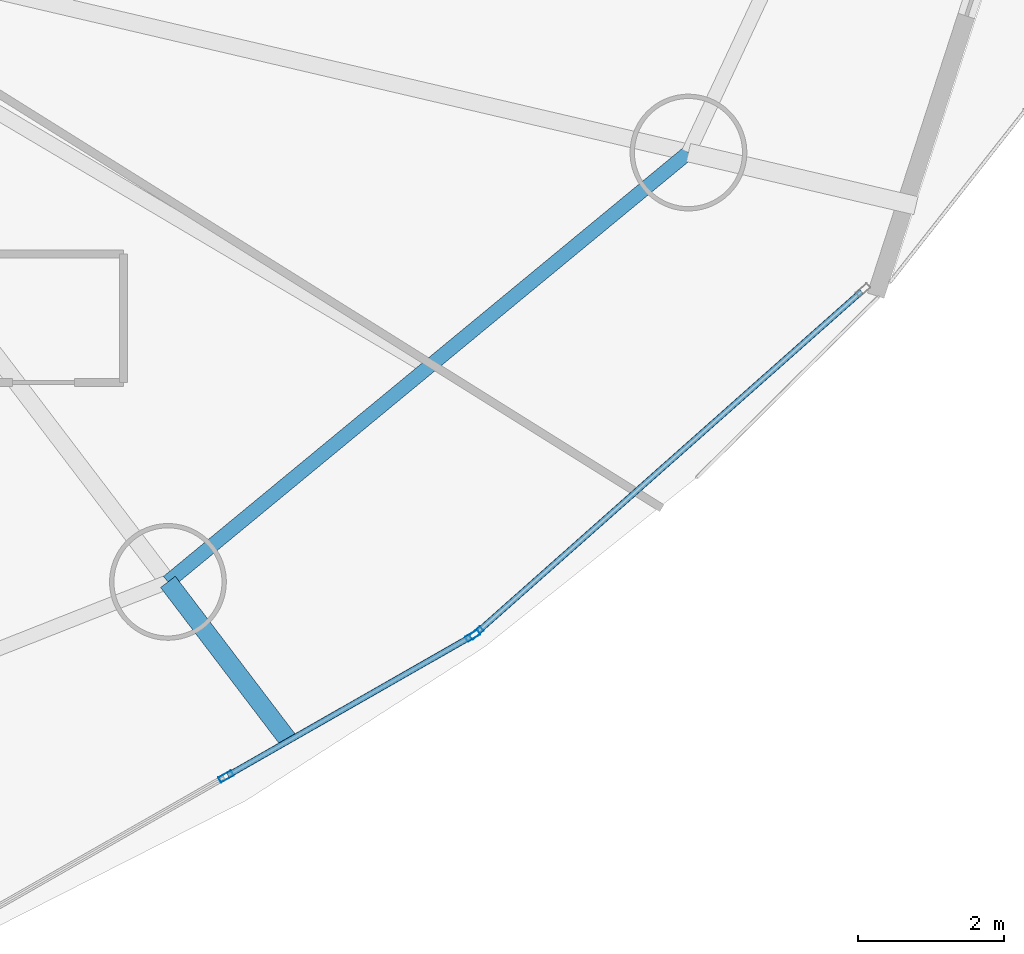
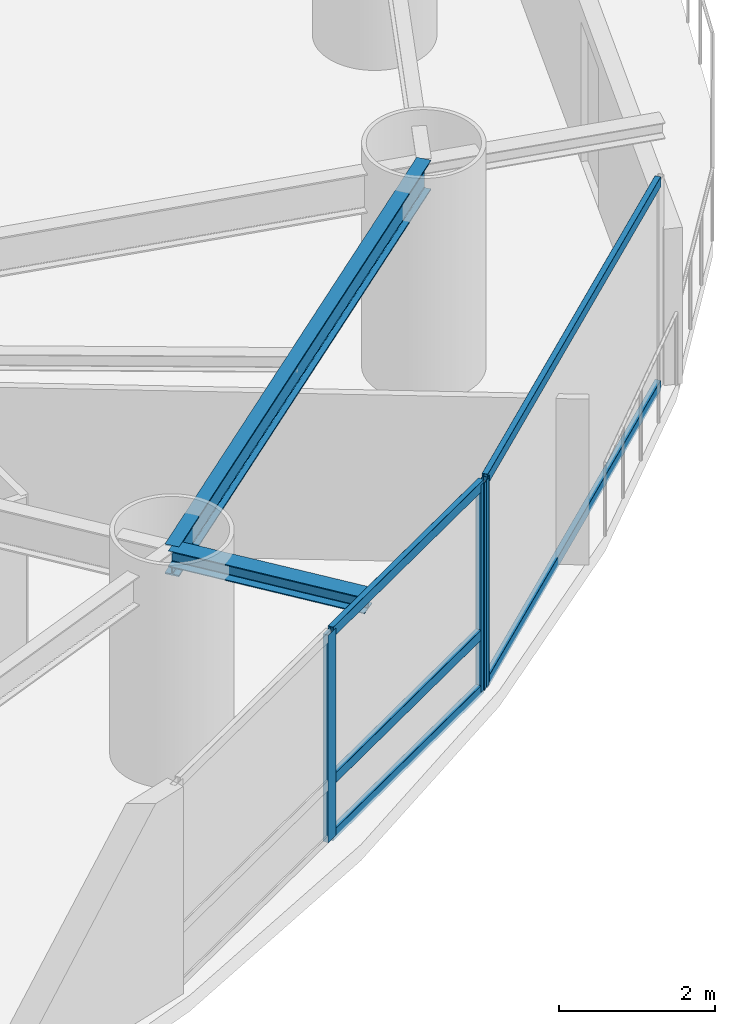
# One storey, part 6 of 26: 8 members, 2 beams, 2 elements without a shape of their own.
"""IFC4 building model written with IfcOpenShell, lengths in metres."""

from ifc_helpers import new_model, si_unit, direction, frame, origin, origin_2d, place, context, subcontext, project, spatial, hollow_rectangle, i_section, extrude, material, layer, layer_set, material_profile, profile_set, type_object, element, aggregate, save


model = new_model("IFC4")

# Units and contexts
model_context = context("Model", 3, precision=1e-05, world=origin(), true_north=direction((0.0, 1.0)))
body_context = subcontext(model_context, "Body", "Model", "MODEL_VIEW")
ifc_project = project(units=[si_unit("LENGTHUNIT", "METRE"), si_unit("AREAUNIT", "SQUARE_METRE"), si_unit("VOLUMEUNIT", "CUBIC_METRE"), si_unit("PLANEANGLEUNIT", "RADIAN"), si_unit("MASSUNIT", "GRAM", prefix="KILO")], contexts=[model_context])

# Site, building, storey
site_placement = place(None, origin())
site = spatial("IfcSite", under=ifc_project, at=site_placement, CompositionType="ELEMENT")
building_placement = place(site_placement, origin())
building = spatial("IfcBuilding", under=site, at=building_placement, Name="Bramvorn Convention Spire", CompositionType="ELEMENT")
storey_placement = place(building_placement, frame((0.0, 0.0, 51.89990234375)))
storey = spatial("IfcBuildingStorey", under=building, at=storey_placement, Name="L10", CompositionType="ELEMENT", Elevation=51.89990234375)

# Beams
ifc_material_1 = material(Name="Steel CSA G40.21 Grade 350 (350W)", Category="steel")
ifc_material_profile_1 = material_profile(ifc_material_1, i_section(OverallWidth=0.25390625, OverallDepth=0.2529296875, WebThickness=0.008544921875, FlangeThickness=0.01416015625, FilletRadius=0.011962890625, at=origin_2d()))
ifc_profile_set_1 = profile_set([ifc_material_profile_1], Name="Steel CSA G40.21 Grade 350 (350W) - W250X73")
beam_type_1 = type_object("IfcBeamType", Name="BM-W250X73", PredefinedType="BEAM", material=ifc_profile_set_1)
beam_1_placement = place(storey_placement, frame((56.227783203125, 9.371337890625, 3.12353515625), z_axis=(0.605173829734, -0.796093358725, 0.0), x_axis=(0.796093358725, 0.605173829734, 0.0)))
element("IfcBeam", 1, at=beam_1_placement, inside=storey, type_object=beam_type_1, Name="L10 slab-edge cantilever tip beam MC15", PredefinedType="BEAM", context=body_context, shape_type="SweptSolid", body=[
    extrude(i_section(OverallWidth=0.25390625, OverallDepth=0.2529296875, WebThickness=0.008544921875, FlangeThickness=0.01416015625, FilletRadius=0.011962890625, at=origin_2d()), origin(), (0.0, 0.0, 1.0), 2.73388671875),
])
ifc_material_profile_2 = material_profile(ifc_material_1, i_section(OverallWidth=0.194091796875, OverallDepth=0.468994140625, WebThickness=0.0126953125, FlangeThickness=0.0205078125, FilletRadius=0.01806640625, at=origin_2d()))
ifc_profile_set_2 = profile_set([ifc_material_profile_2], Name="Steel CSA G40.21 Grade 350 (350W) - W460X106")
beam_type_2 = type_object("IfcBeamType", Name="BM-W460X106", PredefinedType="SPANDREL", material=ifc_profile_set_2)
beam_2_placement = place(storey_placement, frame((56.227783203125, 9.371337890625, 3.015625), z_axis=(0.771417680101, 0.636329130896, 0.0), x_axis=(-0.636329130896, 0.771417680101, 0.0)))
element("IfcBeam", 2, at=beam_2_placement, inside=storey, type_object=beam_type_2, Name="L10 mega-column ring beam 15", PredefinedType="SPANDREL", context=body_context, shape_type="SweptSolid", body=[
    extrude(i_section(OverallWidth=0.194091796875, OverallDepth=0.468994140625, WebThickness=0.0126953125, FlangeThickness=0.0205078125, FilletRadius=0.01806640625, at=origin_2d()), origin(), (0.0, 0.0, 1.0), 9.244140625),
])

# Curtain wall, members
ifc_material_2 = material(Name="Anodised Bronze Unitised Curtain Wall", Category="aluminium")
ifc_layer = layer(ifc_material_2, 0.179931640625)
ifc_layer_set = layer_set([ifc_layer], Name="Anodised Bronze Unitised Curtain Wall - CW-HTL-FRIT")
curtain_wall_type = type_object("IfcCurtainWallType", Name="CW-HTL-FRIT", PredefinedType="USERDEFINED", material=ifc_layer_set)
curtain_wall_1_placement = place(storey_placement, origin())
curtain_wall_1 = element("IfcCurtainWall", 3, at=curtain_wall_1_placement, inside=storey, type_object=curtain_wall_type, Name="L10 fritted glass curtain wall 21", ObjectType="UNITISED CURTAIN WALL", PredefinedType="USERDEFINED")
ifc_material_3 = material(Name="Anodised Bronze Aluminium 6063-T6", Category="aluminium")
ifc_material_profile_3 = material_profile(ifc_material_3, hollow_rectangle(XDim=0.080078125, YDim=0.199951171875, WallThickness=0.00390625, InnerFilletRadius=0.0009765625, OuterFilletRadius=0.00390625, at=origin_2d()))
ifc_profile_set_3 = profile_set([ifc_material_profile_3], Name="Anodised Bronze Aluminium 6063-T6 - CWM80X200")
member_type_1 = type_object("IfcMemberType", Name="CW-MUL-180", PredefinedType="MULLION", material=ifc_profile_set_3)
member_1_placement = place(storey_placement, frame((60.40380859375, 8.635498046875, 0.0), z_axis=(0.0, 0.0, 1.0), x_axis=(0.495725676934, -0.868479161079, 0.0)))
member_1 = element("IfcMember", 4, at=member_1_placement, type_object=member_type_1, Name="CW2 mullion 1", PredefinedType="MULLION", context=body_context, shape_type="SweptSolid", body=[
    extrude(hollow_rectangle(XDim=0.080078125, YDim=0.199951171875, WallThickness=0.00390625, InnerFilletRadius=0.0009765625, OuterFilletRadius=0.00390625, at=origin_2d()), origin(), (0.0, 0.0, 1.0), 3.25),
])
member_2_placement = place(storey_placement, frame((57.0234375, 6.705810546875, 0.0), z_axis=(0.0, 0.0, 1.0), x_axis=(0.495725676934, -0.868479161079, 0.0)))
member_2 = element("IfcMember", 5, at=member_2_placement, type_object=member_type_1, Name="CW2 mullion 2", PredefinedType="MULLION", context=body_context, shape_type="SweptSolid", body=[
    extrude(hollow_rectangle(XDim=0.080078125, YDim=0.199951171875, WallThickness=0.00390625, InnerFilletRadius=0.0009765625, OuterFilletRadius=0.00390625, at=origin_2d()), origin(), (0.0, 0.0, 1.0), 3.25),
])

# Curtain wall, member
curtain_wall_2_placement = place(storey_placement, origin())
curtain_wall_2 = element("IfcCurtainWall", 6, at=curtain_wall_2_placement, inside=storey, type_object=curtain_wall_type, Name="L10 fritted glass curtain wall 22", ObjectType="UNITISED CURTAIN WALL", PredefinedType="USERDEFINED")
member_3_placement = place(storey_placement, frame((60.452392578125, 8.670166015625, 0.0), z_axis=(0.0, 0.0, 1.0), x_axis=(0.6634431048, -0.748226734816, 0.0)))
member_3 = element("IfcMember", 7, at=member_3_placement, type_object=member_type_1, Name="CW2 mullion 2", PredefinedType="MULLION", context=body_context, shape_type="SweptSolid", body=[
    extrude(hollow_rectangle(XDim=0.080078125, YDim=0.199951171875, WallThickness=0.00390625, InnerFilletRadius=0.0009765625, OuterFilletRadius=0.00390625, at=origin_2d()), origin(), (0.0, 0.0, 1.0), 3.25),
])

# Member
ifc_material_profile_4 = material_profile(ifc_material_3, hollow_rectangle(XDim=0.080078125, YDim=0.159912109375, WallThickness=0.00390625, InnerFilletRadius=0.0009765625, OuterFilletRadius=0.00390625, at=origin_2d()))
ifc_profile_set_4 = profile_set([ifc_material_profile_4], Name="Anodised Bronze Aluminium 6063-T6 - CWT80X160")
member_type_2 = type_object("IfcMemberType", Name="CW-TRN-150", PredefinedType="USERDEFINED", material=ifc_profile_set_4)
member_4_placement = place(storey_placement, frame((60.377685546875, 8.62060546875, 0.030029296875), z_axis=(-0.8684704236, -0.495740984116, 0.0), x_axis=(0.495740984116, -0.8684704236, 0.0)))
member_4 = element("IfcMember", 8, at=member_4_placement, type_object=member_type_2, Name="CW2 transom 1.1", ObjectType="TRANSOM", PredefinedType="USERDEFINED", context=body_context, shape_type="SweptSolid", body=[
    extrude(hollow_rectangle(XDim=0.080078125, YDim=0.159912109375, WallThickness=0.00390625, InnerFilletRadius=0.0009765625, OuterFilletRadius=0.00390625, at=origin_2d()), origin(), (0.0, 0.0, 1.0), 3.83251953125),
])

member_5_placement = place(storey_placement, frame((60.377685546875, 8.62060546875, 0.900146484375), z_axis=(-0.8684704236, -0.495740984116, 0.0), x_axis=(0.495740984116, -0.8684704236, 0.0)))
member_5 = element("IfcMember", 9, at=member_5_placement, type_object=member_type_2, Name="CW2 transom 1.2", ObjectType="TRANSOM", PredefinedType="USERDEFINED", context=body_context, shape_type="SweptSolid", body=[
    extrude(hollow_rectangle(XDim=0.080078125, YDim=0.159912109375, WallThickness=0.00390625, InnerFilletRadius=0.0009765625, OuterFilletRadius=0.00390625, at=origin_2d()), origin(), (0.0, 0.0, 1.0), 3.83251953125),
])

member_6_placement = place(storey_placement, frame((60.377685546875, 8.62060546875, 3.22021484375), z_axis=(-0.8684704236, -0.495740984116, 0.0), x_axis=(0.495740984116, -0.8684704236, 0.0)))
member_6 = element("IfcMember", 10, at=member_6_placement, type_object=member_type_2, Name="CW2 transom 1.3", ObjectType="TRANSOM", PredefinedType="USERDEFINED", context=body_context, shape_type="SweptSolid", body=[
    extrude(hollow_rectangle(XDim=0.080078125, YDim=0.159912109375, WallThickness=0.00390625, InnerFilletRadius=0.0009765625, OuterFilletRadius=0.00390625, at=origin_2d()), origin(), (0.0, 0.0, 1.0), 3.83251953125),
])

aggregate(curtain_wall_1, [member_1, member_2, member_4, member_5, member_6])

member_7_placement = place(storey_placement, frame((65.7294921875, 13.349365234375, 0.030029296875), z_axis=(-0.7482296625, -0.663439802962, 0.0), x_axis=(0.663439802962, -0.7482296625, 0.0)))
member_7 = element("IfcMember", 11, at=member_7_placement, type_object=member_type_2, Name="CW2 transom 1.1", ObjectType="TRANSOM", PredefinedType="USERDEFINED", context=body_context, shape_type="SweptSolid", body=[
    extrude(hollow_rectangle(XDim=0.080078125, YDim=0.159912109375, WallThickness=0.00390625, InnerFilletRadius=0.0009765625, OuterFilletRadius=0.00390625, at=origin_2d()), origin(), (0.0, 0.0, 1.0), 7.022705078125),
])

member_8_placement = place(storey_placement, frame((65.7294921875, 13.349365234375, 3.22021484375), z_axis=(-0.7482296625, -0.663439802962, 0.0), x_axis=(0.663439802962, -0.7482296625, 0.0)))
member_8 = element("IfcMember", 12, at=member_8_placement, type_object=member_type_2, Name="CW2 transom 1.2", ObjectType="TRANSOM", PredefinedType="USERDEFINED", context=body_context, shape_type="SweptSolid", body=[
    extrude(hollow_rectangle(XDim=0.080078125, YDim=0.159912109375, WallThickness=0.00390625, InnerFilletRadius=0.0009765625, OuterFilletRadius=0.00390625, at=origin_2d()), origin(), (0.0, 0.0, 1.0), 7.022705078125),
])

aggregate(curtain_wall_2, [member_3, member_7, member_8])

save(model, "model.ifc")
